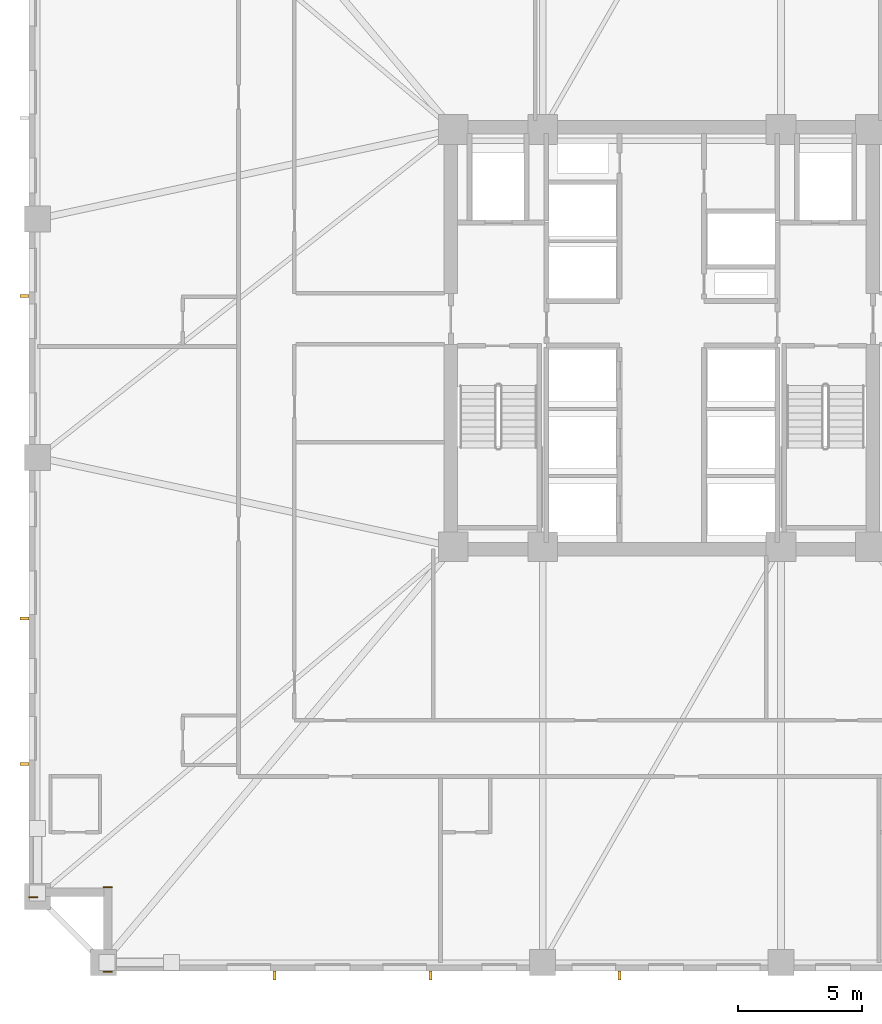
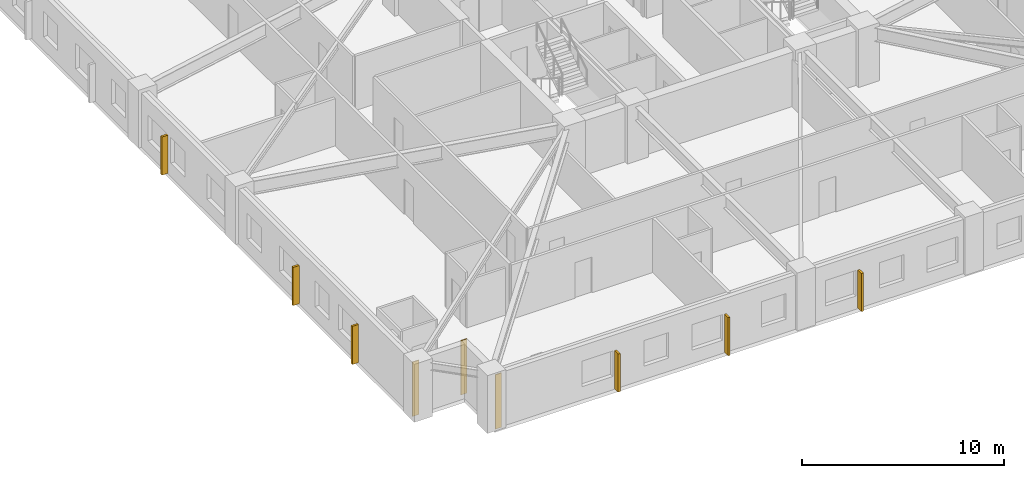
# One storey, part 7 of 11: 6 shading devices, 3 coverings.
"""IFC4 building model written with IfcOpenShell, lengths in metres."""

from ifc_helpers import new_model, si_unit, direction, frame, frame_2d, origin, origin_2d, place, context, subcontext, project, spatial, rectangle, extrude, material, layer, layer_set, type_object, element, save


model = new_model("IFC4")

# Units and contexts
model_context = context("Model", 3, precision=1e-05, world=origin(), true_north=direction((0.0, 1.0)))
body_context = subcontext(model_context, "Body", "Model", "MODEL_VIEW")
ifc_project = project(units=[si_unit("LENGTHUNIT", "METRE"), si_unit("AREAUNIT", "SQUARE_METRE"), si_unit("VOLUMEUNIT", "CUBIC_METRE"), si_unit("PLANEANGLEUNIT", "RADIAN"), si_unit("MASSUNIT", "GRAM", prefix="KILO")], contexts=[model_context])

# Site, building, storey
site_placement = place(None, origin())
site = spatial("IfcSite", under=ifc_project, at=site_placement, CompositionType="ELEMENT")
building_placement = place(site_placement, origin())
building = spatial("IfcBuilding", under=site, at=building_placement, Name="Cairnveth Concourse Tower", CompositionType="ELEMENT")
storey_placement = place(building_placement, frame((0.0, 0.0, 72.5)))
storey = spatial("IfcBuildingStorey", under=building, at=storey_placement, Name="L19", CompositionType="ELEMENT", Elevation=72.5)

# Coverings
ifc_material_1 = material(Name="Dressed Melbourne Bluestone Cladding", Category="masonry")
ifc_layer = layer(ifc_material_1, 0.050048828125)
ifc_layer_set = layer_set([ifc_layer], Name="Dressed Melbourne Bluestone Cladding")
covering_type = type_object("IfcCoveringType", Name="DRESSED BLUESTONE PLINTH CLADDING 50", PredefinedType="CLADDING", material=ifc_layer_set)
for number, where, z_axis, x_axis, name in (
    (1, (29.860107421875, 13.47998046875, 0.0), (0.0, 0.0, 1.0), (-1.0, 0.0, 0.0), "Melbourne Bluestone Corner Quoin L19-251"),
    (2, (29.860107421875, 16.8798828125, 0.0), (0.0, 0.0, 1.0), (-1.0, 0.0, 0.0), "Melbourne Bluestone Corner Quoin L19-252"),
    (3, (26.860107421875, 16.47998046875, 0.0), (0.0, 0.0, 1.0), (-1.0, 0.0, 0.0), "Melbourne Bluestone Corner Quoin L19-253"),
):
    element("IfcCovering", number, at=place(storey_placement, frame(where, z_axis=z_axis, x_axis=x_axis)), inside=storey, type_object=covering_type, Name=name, PredefinedType="CLADDING", context=body_context, shape_type="SweptSolid", body=[
        extrude(rectangle(XDim=0.360107421875, YDim=0.050048828125, at=frame_2d((0.18017578125, 0.0))), origin(), (0.0, 0.0, 1.0), 3.280029296875),
    ])

# Shading devices
ifc_material_2 = material(Name="Architectural Bronze Anodised Aluminium 6063-T6", Category="aluminium")
shading_device_type = type_object("IfcShadingDeviceType", Name="GOTHIC BRONZE VERTICAL LANCET FIN", PredefinedType="USERDEFINED", material=ifc_material_2)
for number, where, z_axis, x_axis, name in (
    (4, (50.293701171875, 13.324951171875, 0.02978515625), (0.0, 0.0, 1.0), (1.0, 0.0, 0.0), "Gothic Bronze Vertical Fin L19-3-7"),
    (5, (42.673583984375, 13.324951171875, 0.02978515625), (0.0, 0.0, 1.0), (1.0, 0.0, 0.0), "Gothic Bronze Vertical Fin L19-3-9"),
    (6, (36.403076171875, 13.324951171875, 0.02978515625), (0.0, 0.0, 1.0), (1.0, 0.0, 0.0), "Gothic Bronze Vertical Fin L19-3-11"),
    (7, (26.324951171875, 21.84521484375, 0.02978515625), (0.0, 0.0, 1.0), (0.0, 1.0, 0.0), "Gothic Bronze Vertical Fin L19-6-1"),
    (8, (26.324951171875, 27.715576171875, 0.02978515625), (0.0, 0.0, 1.0), (0.0, 1.0, 0.0), "Gothic Bronze Vertical Fin L19-6-3"),
    (9, (26.324951171875, 40.706298828125, 0.02978515625), (0.0, 0.0, 1.0), (0.0, 1.0, 0.0), "Gothic Bronze Vertical Fin L19-6-7"),
):
    element("IfcShadingDevice", number, at=place(storey_placement, frame(where, z_axis=z_axis, x_axis=x_axis)), inside=storey, type_object=shading_device_type, Name=name, ObjectType="VERTICAL FIN", PredefinedType="USERDEFINED", context=body_context, shape_type="SweptSolid", body=[
        extrude(rectangle(XDim=0.1201171875, YDim=0.360107421875, at=origin_2d()), origin(), (0.0, 0.0, 1.0), 2.303955078125),
    ])

save(model, "model.ifc")
